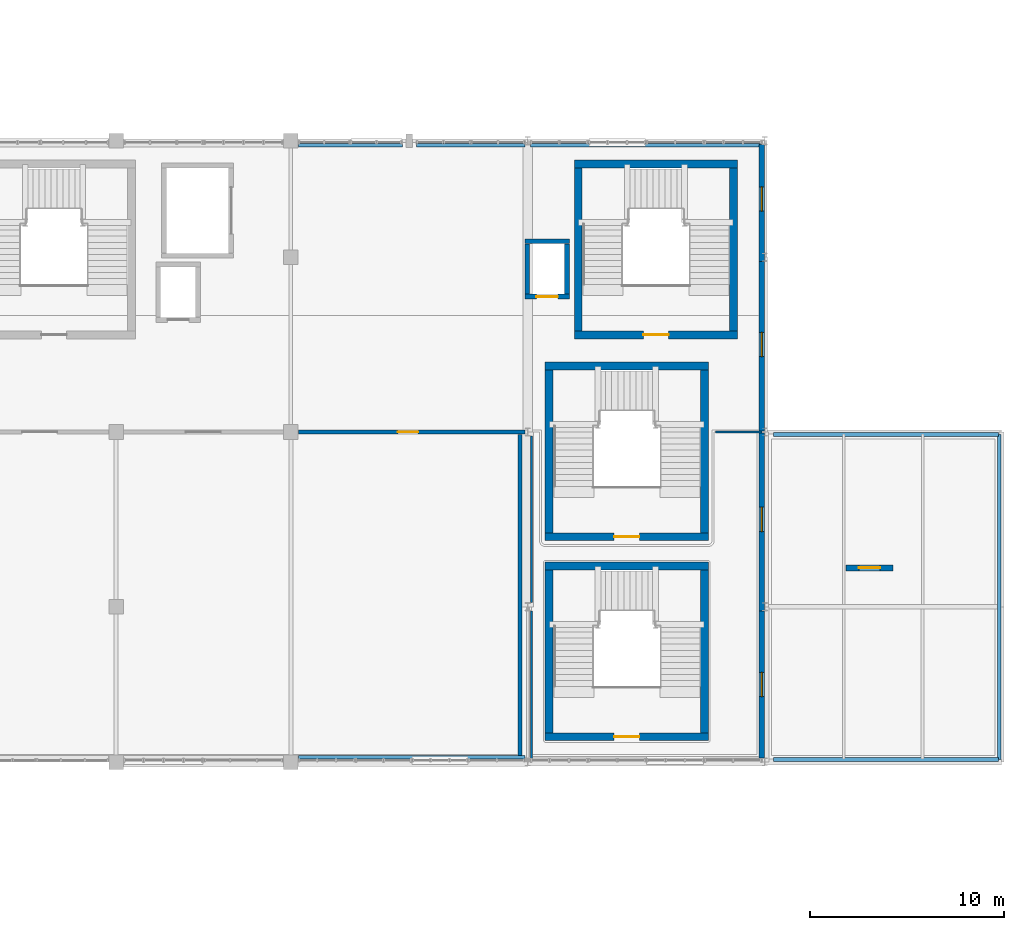
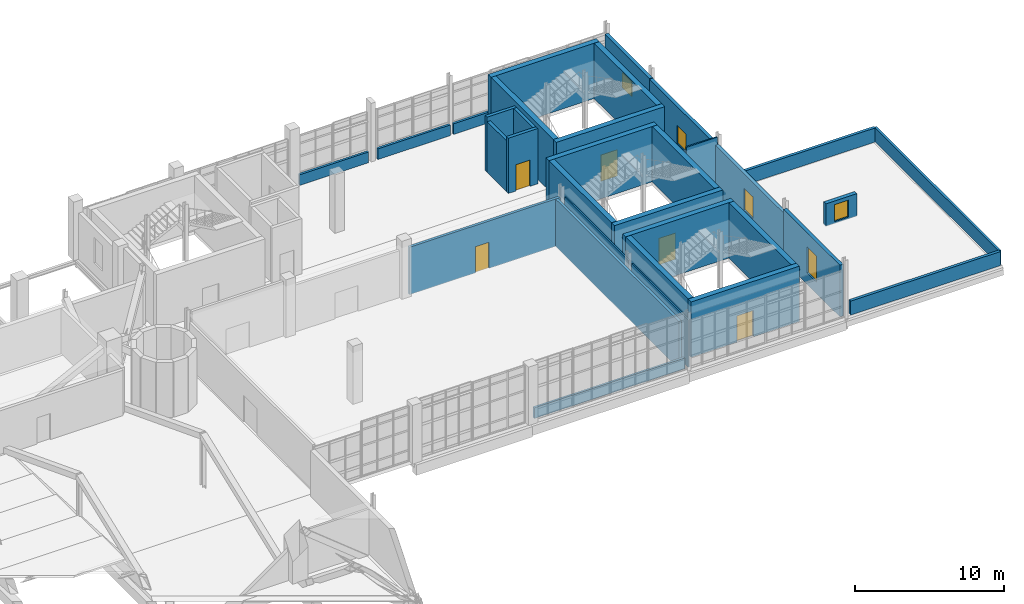
# One storey, part 117 of 127: 33 walls, 6 doors, 4 windows, 10 openings.
"""IFC4 building model written with IfcOpenShell, lengths in metres."""

from ifc_helpers import new_model, si_unit, derived_unit, direction, frame, frame_2d, origin, place, context, subcontext, project, spatial, rectangle, extrude, material, layer, layer_set, type_object, element, fill, save


model = new_model("IFC4")

# Units and contexts
model_context = context("Model", 3, precision=1e-05, world=origin(), true_north=direction((0.0, 1.0)))
body_context = subcontext(model_context, "Body", "Model", "MODEL_VIEW")
ifc_project = project(units=[si_unit("LENGTHUNIT", "METRE"), si_unit("AREAUNIT", "SQUARE_METRE"), si_unit("VOLUMEUNIT", "CUBIC_METRE"), si_unit("PLANEANGLEUNIT", "RADIAN"), si_unit("MASSUNIT", "GRAM", prefix="KILO"), derived_unit("THERMALTRANSMITTANCEUNIT", [(si_unit("POWERUNIT", "WATT"), 1), (si_unit("LENGTHUNIT", "METRE"), -2), (si_unit("THERMODYNAMICTEMPERATUREUNIT", "KELVIN"), -1)])], contexts=[model_context])

# Site, building, storey
site_placement = place(None, origin())
site = spatial("IfcSite", under=ifc_project, at=site_placement, CompositionType="ELEMENT")
building_placement = place(site_placement, origin())
building = spatial("IfcBuilding", under=site, at=building_placement, Name="Nallur Shell Playhouse", CompositionType="ELEMENT")
storey_placement = place(building_placement, frame((0.0, 0.0, 5.39990234375)))
storey = spatial("IfcBuildingStorey", under=building, at=storey_placement, Name="L02", CompositionType="ELEMENT", Elevation=5.39990234375)

# Wall, opening, door
ifc_material_1 = material(Name="Concrete M45", Category="concrete")
ifc_layer_1 = layer(ifc_material_1, 0.39990234375)
ifc_layer_set_1 = layer_set([ifc_layer_1], Name="Concrete M45")
wall_type_1 = type_object("IfcWallType", Name="WL-CORE-400", PredefinedType="SHEAR", material=ifc_layer_set_1)
wall_1_placement = place(storey_placement, frame((150.0, 46.0, 0.0), z_axis=(0.0, 0.0, 1.0), x_axis=(1.0, 0.0, 0.0)))
wall_1 = element("IfcWall", 1, at=wall_1_placement, inside=storey, type_object=wall_type_1, Name="Joint Core JC-5 shear wall S (L02)", PredefinedType="SHEAR", context=body_context, shape_type="SweptSolid", body=[
    extrude(rectangle(XDim=8.39990234375, YDim=0.39990234375, at=frame_2d((4.199951171875, 0.0))), origin(), (0.0, 0.0, 1.0), 4.5400390625),
])
opening_1_placement = place(wall_1_placement, frame((3.550048828125, 0.0, 0.0)))
opening_1 = element("IfcOpeningElement", 2, at=opening_1_placement, cuts=wall_1, Name="Opening FD-ST2", PredefinedType="OPENING", context=body_context, shape_type="SweptSolid", body=[
    extrude(rectangle(XDim=1.300048828125, YDim=2.14990234375, at=frame_2d((0.64990234375, 1.074951171875))), frame((0.0, 0.2099609375, 0.0), z_axis=(0.0, -1.0, 0.0), x_axis=(1.0, 0.0, 0.0)), (0.0, 0.0, 1.0), 0.419921875),
])
ifc_material_2 = material(Name="Galvanised Steel Fire-Rated Stair Door", Category="steel")
door_type_1 = type_object("IfcDoorType", Name="DR-INT-STAIR-R", OperationType="SINGLE_SWING_RIGHT", PredefinedType="DOOR", material=ifc_material_2)
door_1_placement = place(opening_1_placement, origin())
door_1 = element("IfcDoor", 3, at=door_1_placement, inside=storey, type_object=door_type_1, Name="Exit stair ST-05 fire door (L02)", OperationType="SINGLE_SWING_RIGHT", OverallHeight=2.14990234375, OverallWidth=1.300048828125, PredefinedType="DOOR", context=body_context, shape_type="SweptSolid", body=[
    extrude(rectangle(XDim=1.300048828125, YDim=2.14990234375, at=frame_2d((0.64990234375, 1.074951171875))), frame((0.0, 0.02490234375, 0.0), z_axis=(0.0, -1.0, 0.0), x_axis=(1.0, 0.0, 0.0)), (0.0, 0.0, 1.0), 0.050048828125),
])
fill(opening_1, door_1)

# Walls
wall_2_placement = place(storey_placement, frame((158.39990234375, 54.800048828125, 0.0), z_axis=(0.0, 0.0, 1.0), x_axis=(-1.0, 0.0, 0.0)))
element("IfcWall", 4, at=wall_2_placement, inside=storey, type_object=wall_type_1, Name="Joint Core JC-5 shear wall N (L02)", PredefinedType="SHEAR", context=body_context, shape_type="SweptSolid", body=[
    extrude(rectangle(XDim=8.39990234375, YDim=0.39990234375, at=frame_2d((4.199951171875, 0.0))), origin(), (0.0, 0.0, 1.0), 4.5400390625),
])
for number, where, z_axis, x_axis, name in (
    (5, (158.199951171875, 46.2099609375, 0.0), (0.0, 0.0, 1.0), (0.0, 1.0, 0.0), "Joint Core JC-5 shear wall E (L02)"),
    (6, (150.199951171875, 54.590087890625, 0.0), (0.0, 0.0, 1.0), (0.0, -1.0, 0.0), "Joint Core JC-5 shear wall W (L02)"),
):
    element("IfcWall", number, at=place(storey_placement, frame(where, z_axis=z_axis, x_axis=x_axis)), inside=storey, type_object=wall_type_1, Name=name, PredefinedType="SHEAR", context=body_context, shape_type="SweptSolid", body=[
        extrude(rectangle(XDim=8.380126953125, YDim=0.39990234375, at=frame_2d((4.18994140625, 0.0))), origin(), (0.0, 0.0, 1.0), 4.5400390625),
    ])

# Wall, opening, door
wall_3_placement = place(storey_placement, frame((148.5, 25.300048828125, 0.0), z_axis=(0.0, 0.0, 1.0), x_axis=(1.0, 0.0, 0.0)))
wall_3 = element("IfcWall", 7, at=wall_3_placement, inside=storey, type_object=wall_type_1, Name="Joint Core JC-8 shear wall S (L02)", PredefinedType="SHEAR", context=body_context, shape_type="SweptSolid", body=[
    extrude(rectangle(XDim=8.39990234375, YDim=0.39990234375, at=frame_2d((4.199951171875, 0.0))), origin(), (0.0, 0.0, 1.0), 4.5400390625),
])
opening_2_placement = place(wall_3_placement, frame((3.550048828125, 0.0, 0.0)))
opening_2 = element("IfcOpeningElement", 8, at=opening_2_placement, cuts=wall_3, Name="Opening FD-ST2", PredefinedType="OPENING", context=body_context, shape_type="SweptSolid", body=[
    extrude(rectangle(XDim=1.300048828125, YDim=2.14990234375, at=frame_2d((0.64990234375, 1.074951171875))), frame((0.0, 0.2099609375, 0.0), z_axis=(0.0, -1.0, 0.0), x_axis=(1.0, 0.0, 0.0)), (0.0, 0.0, 1.0), 0.419921875),
])
door_2_placement = place(opening_2_placement, origin())
door_2 = element("IfcDoor", 9, at=door_2_placement, inside=storey, type_object=door_type_1, Name="Exit stair ST-08 fire door (L02)", OperationType="SINGLE_SWING_RIGHT", OverallHeight=2.14990234375, OverallWidth=1.300048828125, PredefinedType="DOOR", context=body_context, shape_type="SweptSolid", body=[
    extrude(rectangle(XDim=1.300048828125, YDim=2.14990234375, at=frame_2d((0.64990234375, 1.074951171875))), frame((0.0, 0.02490234375, 0.0), z_axis=(0.0, -1.0, 0.0), x_axis=(1.0, 0.0, 0.0)), (0.0, 0.0, 1.0), 0.050048828125),
])
fill(opening_2, door_2)

# Walls
wall_4_placement = place(storey_placement, frame((156.89990234375, 34.10009765625, 0.0), z_axis=(0.0, 0.0, 1.0), x_axis=(-1.0, 0.0, 0.0)))
element("IfcWall", 10, at=wall_4_placement, inside=storey, type_object=wall_type_1, Name="Joint Core JC-8 shear wall N (L02)", PredefinedType="SHEAR", context=body_context, shape_type="SweptSolid", body=[
    extrude(rectangle(XDim=8.39990234375, YDim=0.39990234375, at=frame_2d((4.199951171875, 0.0))), origin(), (0.0, 0.0, 1.0), 4.5400390625),
])
for number, where, z_axis, x_axis, name in (
    (11, (156.699951171875, 25.510009765625, 0.0), (0.0, 0.0, 1.0), (0.0, 1.0, 0.0), "Joint Core JC-8 shear wall E (L02)"),
    (12, (148.699951171875, 33.889892578125, 0.0), (0.0, 0.0, 1.0), (0.0, -1.0, 0.0), "Joint Core JC-8 shear wall W (L02)"),
):
    element("IfcWall", number, at=place(storey_placement, frame(where, z_axis=z_axis, x_axis=x_axis)), inside=storey, type_object=wall_type_1, Name=name, PredefinedType="SHEAR", context=body_context, shape_type="SweptSolid", body=[
        extrude(rectangle(XDim=8.3798828125, YDim=0.39990234375, at=frame_2d((4.18994140625, 0.0))), origin(), (0.0, 0.0, 1.0), 4.5400390625),
    ])

# Wall, opening, door
wall_5_placement = place(storey_placement, frame((148.5, 35.60009765625, 0.0), z_axis=(0.0, 0.0, 1.0), x_axis=(1.0, 0.0, 0.0)))
wall_5 = element("IfcWall", 13, at=wall_5_placement, inside=storey, type_object=wall_type_1, Name="Joint Core JC-9 shear wall S (L02)", PredefinedType="SHEAR", context=body_context, shape_type="SweptSolid", body=[
    extrude(rectangle(XDim=8.39990234375, YDim=0.39990234375, at=frame_2d((4.199951171875, 0.0))), origin(), (0.0, 0.0, 1.0), 4.5400390625),
])
opening_3_placement = place(wall_5_placement, frame((3.550048828125, 0.0, 0.0)))
opening_3 = element("IfcOpeningElement", 14, at=opening_3_placement, cuts=wall_5, Name="Opening FD-ST2", PredefinedType="OPENING", context=body_context, shape_type="SweptSolid", body=[
    extrude(rectangle(XDim=1.300048828125, YDim=2.14990234375, at=frame_2d((0.64990234375, 1.074951171875))), frame((0.0, 0.2099609375, 0.0), z_axis=(0.0, -1.0, 0.0), x_axis=(1.0, 0.0, 0.0)), (0.0, 0.0, 1.0), 0.419921875),
])
door_3_placement = place(opening_3_placement, origin())
door_3 = element("IfcDoor", 15, at=door_3_placement, inside=storey, type_object=door_type_1, Name="Exit stair ST-09 fire door (L02)", OperationType="SINGLE_SWING_RIGHT", OverallHeight=2.14990234375, OverallWidth=1.300048828125, PredefinedType="DOOR", context=body_context, shape_type="SweptSolid", body=[
    extrude(rectangle(XDim=1.300048828125, YDim=2.14990234375, at=frame_2d((0.64990234375, 1.074951171875))), frame((0.0, 0.02490234375, 0.0), z_axis=(0.0, -1.0, 0.0), x_axis=(1.0, 0.0, 0.0)), (0.0, 0.0, 1.0), 0.050048828125),
])
fill(opening_3, door_3)

# Walls
wall_6_placement = place(storey_placement, frame((156.89990234375, 44.39990234375, 0.0), z_axis=(0.0, 0.0, 1.0), x_axis=(-1.0, 0.0, 0.0)))
element("IfcWall", 16, at=wall_6_placement, inside=storey, type_object=wall_type_1, Name="Joint Core JC-9 shear wall N (L02)", PredefinedType="SHEAR", context=body_context, shape_type="SweptSolid", body=[
    extrude(rectangle(XDim=8.39990234375, YDim=0.39990234375, at=frame_2d((4.199951171875, 0.0))), origin(), (0.0, 0.0, 1.0), 4.5400390625),
])
for number, where, z_axis, x_axis, name in (
    (17, (156.699951171875, 35.81005859375, 0.0), (0.0, 0.0, 1.0), (0.0, 1.0, 0.0), "Joint Core JC-9 shear wall E (L02)"),
    (18, (148.699951171875, 44.18994140625, 0.0), (0.0, 0.0, 1.0), (0.0, -1.0, 0.0), "Joint Core JC-9 shear wall W (L02)"),
):
    element("IfcWall", number, at=place(storey_placement, frame(where, z_axis=z_axis, x_axis=x_axis)), inside=storey, type_object=wall_type_1, Name=name, PredefinedType="SHEAR", context=body_context, shape_type="SweptSolid", body=[
        extrude(rectangle(XDim=8.3798828125, YDim=0.39990234375, at=frame_2d((4.18994140625, 0.0))), origin(), (0.0, 0.0, 1.0), 4.5400390625),
    ])

# Wall, opening, window
ifc_material_3 = material(Name="Precast concrete M40", Category="concrete")
ifc_layer_2 = layer(ifc_material_3, 0.260009765625)
ifc_layer_set_2 = layer_set([ifc_layer_2], Name="Precast concrete M40")
wall_type_2 = type_object("IfcWallType", Name="WL-EXT-CLAD260", PredefinedType="ELEMENTEDWALL", material=ifc_layer_set_2)
wall_7_placement = place(storey_placement, frame((159.64990234375, 55.7919921875, 0.0), z_axis=(0.0, 0.0, 1.0), x_axis=(0.0, -1.0, 0.0)))
wall_7 = element("IfcWall", 19, at=wall_7_placement, inside=storey, type_object=wall_type_2, Name="L02 exterior wall EW-L02-105", PredefinedType="ELEMENTEDWALL", context=body_context, shape_type="SweptSolid", body=[
    extrude(rectangle(XDim=6.0, YDim=0.260009765625, at=frame_2d((3.0, 0.0))), origin(), (0.0, 0.0, 1.0), 4.025146484375),
])
opening_4_placement = place(wall_7_placement, frame((2.1669921875, 0.0, 0.949951171875)))
opening_4 = element("IfcOpeningElement", 20, at=opening_4_placement, cuts=wall_7, Name="Opening WN-09", PredefinedType="OPENING", context=body_context, shape_type="SweptSolid", body=[
    extrude(rectangle(XDim=1.25, YDim=1.199951171875, at=frame_2d((0.625, 0.60009765625))), frame((0.0, 0.14013671875, 0.0), z_axis=(0.0, -1.0, 0.0), x_axis=(1.0, 0.0, 0.0)), (0.0, 0.0, 1.0), 0.280029296875),
])
ifc_material_4 = material(Name="Thermally Broken Aluminium Acoustic Double-Glazed Window", Category="aluminium")
window_type_1 = type_object("IfcWindowType", Name="WN-TYPE-09", PartitioningType="SINGLE_PANEL", PredefinedType="WINDOW", material=ifc_material_4)
window_1_placement = place(opening_4_placement, origin())
window_1 = element("IfcWindow", 21, at=window_1_placement, inside=storey, type_object=window_type_1, Name="L02 facade module window 041", OverallHeight=1.199951171875, OverallWidth=1.25, PartitioningType="SINGLE_PANEL", PredefinedType="WINDOW", context=body_context, shape_type="SweptSolid", body=[
    extrude(rectangle(XDim=1.25, YDim=1.199951171875, at=frame_2d((0.625, 0.60009765625))), frame((0.0, 0.030029296875, 0.0), z_axis=(0.0, -1.0, 0.0), x_axis=(1.0, 0.0, 0.0)), (0.0, 0.0, 1.0), 0.06005859375),
])
fill(opening_4, window_1)

wall_8_placement = place(storey_placement, frame((159.64990234375, 49.7919921875, 0.0), z_axis=(0.0, 0.0, 1.0), x_axis=(0.0, -1.0, 0.0)))
wall_8 = element("IfcWall", 22, at=wall_8_placement, inside=storey, type_object=wall_type_2, Name="L02 exterior wall EW-L02-106", PredefinedType="ELEMENTEDWALL", context=body_context, shape_type="SweptSolid", body=[
    extrude(rectangle(XDim=8.739990234375, YDim=0.260009765625, at=frame_2d((4.3701171875, 0.0))), origin(), (0.0, 0.0, 1.0), 3.97509765625),
])
opening_5_placement = place(wall_8_placement, frame((3.6669921875, 0.0, 0.949951171875)))
opening_5 = element("IfcOpeningElement", 23, at=opening_5_placement, cuts=wall_8, Name="Opening WN-10", PredefinedType="OPENING", context=body_context, shape_type="SweptSolid", body=[
    extrude(rectangle(XDim=1.25, YDim=1.5, at=frame_2d((0.625, 0.75))), frame((0.0, 0.14013671875, 0.0), z_axis=(0.0, -1.0, 0.0), x_axis=(1.0, 0.0, 0.0)), (0.0, 0.0, 1.0), 0.280029296875),
])
window_type_2 = type_object("IfcWindowType", Name="WN-TYPE-10", PartitioningType="SINGLE_PANEL", PredefinedType="WINDOW", material=ifc_material_4)
window_2_placement = place(opening_5_placement, origin())
window_2 = element("IfcWindow", 24, at=window_2_placement, inside=storey, type_object=window_type_2, Name="L02 facade module window 042", OverallHeight=1.5, OverallWidth=1.25, PartitioningType="SINGLE_PANEL", PredefinedType="WINDOW", context=body_context, shape_type="SweptSolid", body=[
    extrude(rectangle(XDim=1.25, YDim=1.5, at=frame_2d((0.625, 0.75))), frame((0.0, 0.030029296875, 0.0), z_axis=(0.0, -1.0, 0.0), x_axis=(1.0, 0.0, 0.0)), (0.0, 0.0, 1.0), 0.06005859375),
])
fill(opening_5, window_2)

wall_9_placement = place(storey_placement, frame((159.64990234375, 40.947998046875, 0.0), z_axis=(0.0, 0.0, 1.0), x_axis=(0.0, -1.0, 0.0)))
wall_9 = element("IfcWall", 25, at=wall_9_placement, inside=storey, type_object=wall_type_2, Name="L02 exterior wall EW-L02-107", PredefinedType="ELEMENTEDWALL", context=body_context, shape_type="SweptSolid", body=[
    extrude(rectangle(XDim=9.156005859375, YDim=0.260009765625, at=frame_2d((4.578125, 0.0))), origin(), (0.0, 0.0, 1.0), 3.925048828125),
])
opening_6_placement = place(wall_9_placement, frame((3.822998046875, 0.0, 0.949951171875)))
opening_6 = element("IfcOpeningElement", 26, at=opening_6_placement, cuts=wall_9, Name="Opening WN-11", PredefinedType="OPENING", context=body_context, shape_type="SweptSolid", body=[
    extrude(rectangle(XDim=1.25, YDim=1.800048828125, at=frame_2d((0.625, 0.89990234375))), frame((0.0, 0.14013671875, 0.0), z_axis=(0.0, -1.0, 0.0), x_axis=(1.0, 0.0, 0.0)), (0.0, 0.0, 1.0), 0.280029296875),
])
window_type_3 = type_object("IfcWindowType", Name="WN-TYPE-11", PartitioningType="SINGLE_PANEL", PredefinedType="WINDOW", material=ifc_material_4)
window_3_placement = place(opening_6_placement, origin())
window_3 = element("IfcWindow", 27, at=window_3_placement, inside=storey, type_object=window_type_3, Name="L02 facade module window 043", OverallHeight=1.800048828125, OverallWidth=1.25, PartitioningType="SINGLE_PANEL", PredefinedType="WINDOW", context=body_context, shape_type="SweptSolid", body=[
    extrude(rectangle(XDim=1.25, YDim=1.800048828125, at=frame_2d((0.625, 0.89990234375))), frame((0.0, 0.030029296875, 0.0), z_axis=(0.0, -1.0, 0.0), x_axis=(1.0, 0.0, 0.0)), (0.0, 0.0, 1.0), 0.06005859375),
])
fill(opening_6, window_3)

wall_10_placement = place(storey_placement, frame((159.64990234375, 31.7919921875, 0.0), z_axis=(0.0, 0.0, 1.0), x_axis=(0.0, -1.0, 0.0)))
wall_10 = element("IfcWall", 28, at=wall_10_placement, inside=storey, type_object=wall_type_2, Name="L02 exterior wall EW-L02-108", PredefinedType="ELEMENTEDWALL", context=body_context, shape_type="SweptSolid", body=[
    extrude(rectangle(XDim=7.583984375, YDim=0.260009765625, at=frame_2d((3.7919921875, 0.0))), origin(), (0.0, 0.0, 1.0), 4.22509765625),
])
opening_7_placement = place(wall_10_placement, frame((3.1669921875, 0.0, 0.949951171875)))
opening_7 = element("IfcOpeningElement", 29, at=opening_7_placement, cuts=wall_10, Name="Opening WN-12", PredefinedType="OPENING", context=body_context, shape_type="SweptSolid", body=[
    extrude(rectangle(XDim=1.25, YDim=2.10009765625, at=frame_2d((0.625, 1.050048828125))), frame((0.0, 0.14013671875, 0.0), z_axis=(0.0, -1.0, 0.0), x_axis=(1.0, 0.0, 0.0)), (0.0, 0.0, 1.0), 0.280029296875),
])
window_type_4 = type_object("IfcWindowType", Name="WN-TYPE-12", PartitioningType="SINGLE_PANEL", PredefinedType="WINDOW", material=ifc_material_4)
window_4_placement = place(opening_7_placement, origin())
window_4 = element("IfcWindow", 30, at=window_4_placement, inside=storey, type_object=window_type_4, Name="L02 facade module window 044", OverallHeight=2.10009765625, OverallWidth=1.25, PartitioningType="SINGLE_PANEL", PredefinedType="WINDOW", context=body_context, shape_type="SweptSolid", body=[
    extrude(rectangle(XDim=1.25, YDim=2.10009765625, at=frame_2d((0.625, 1.050048828125))), frame((0.0, 0.030029296875, 0.0), z_axis=(0.0, -1.0, 0.0), x_axis=(1.0, 0.0, 0.0)), (0.0, 0.0, 1.0), 0.06005859375),
])
fill(opening_7, window_4)

# Wall, opening, door
ifc_material_5 = material(Name="Concrete M35", Category="concrete")
ifc_layer_3 = layer(ifc_material_5, 0.300048828125)
ifc_layer_set_3 = layer_set([ifc_layer_3], Name="Concrete M35")
wall_type_3 = type_object("IfcWallType", Name="WL-EXT-RC300", PredefinedType="STANDARD", material=ifc_layer_set_3)
wall_11_placement = place(storey_placement, frame((164.0, 34.0, 0.0), z_axis=(0.0, 0.0, 1.0), x_axis=(1.0, 0.0, 0.0)))
wall_11 = element("IfcWall", 31, at=wall_11_placement, inside=storey, type_object=wall_type_3, Name="L02 roof access hatch bulkhead wall 02", PredefinedType="STANDARD", context=body_context, shape_type="SweptSolid", body=[
    extrude(rectangle(XDim=2.39990234375, YDim=0.300048828125, at=frame_2d((1.199951171875, 0.0))), origin(), (0.0, 0.0, 1.0), 1.85009765625),
])
opening_8_placement = place(wall_11_placement, frame((0.64990234375, 0.0, 0.14990234375)))
opening_8 = element("IfcOpeningElement", 32, at=opening_8_placement, cuts=wall_11, Name="Opening RH-01", PredefinedType="OPENING", context=body_context, shape_type="SweptSolid", body=[
    extrude(rectangle(XDim=1.10009765625, YDim=1.39990234375, at=frame_2d((0.550048828125, 0.699951171875))), frame((0.0, 0.16015625, 0.0), z_axis=(0.0, -1.0, 0.0), x_axis=(1.0, 0.0, 0.0)), (0.0, 0.0, 1.0), 0.320068359375),
])
ifc_material_6 = material(Name="Insulated Weatherproof Roof Access Hatch Door")
door_type_2 = type_object("IfcDoorType", Name="DR-ROOF-HATCH", OperationType="SINGLE_SWING_LEFT", PredefinedType="TRAPDOOR", material=ifc_material_6)
door_4_placement = place(opening_8_placement, origin())
door_4 = element("IfcDoor", 33, at=door_4_placement, inside=storey, type_object=door_type_2, Name="Roof access trapdoor hatch RH-02", OperationType="SINGLE_SWING_LEFT", OverallHeight=1.39990234375, OverallWidth=1.10009765625, PredefinedType="TRAPDOOR", context=body_context, shape_type="SweptSolid", body=[
    extrude(rectangle(XDim=1.10009765625, YDim=1.39990234375, at=frame_2d((0.550048828125, 0.699951171875))), frame((0.0, 0.02490234375, 0.0), z_axis=(0.0, -1.0, 0.0), x_axis=(1.0, 0.0, 0.0)), (0.0, 0.0, 1.0), 0.050048828125),
])
fill(opening_8, door_4)

# Walls
ifc_layer_4 = layer(ifc_material_5, 0.179931640625)
ifc_layer_set_4 = layer_set([ifc_layer_4], Name="Concrete M35")
wall_type_4 = type_object("IfcWallType", Name="WL-PARAPET-180", PredefinedType="PARAPET", material=ifc_layer_set_4)
wall_12_placement = place(storey_placement, frame((135.784912109375, 55.760009765625, 0.0), z_axis=(0.0, 0.0, 1.0), x_axis=(1.0, 0.0, 0.0)))
element("IfcWall", 34, at=wall_12_placement, inside=storey, type_object=wall_type_4, Name="L02 curtain-wall internal spandrel upstand 015", PredefinedType="PARAPET", context=body_context, shape_type="SweptSolid", body=[
    extrude(rectangle(XDim=5.35498046875, YDim=0.179931640625, at=frame_2d((2.677490234375, 0.0))), origin(), (0.0, 0.0, 1.0), 0.880126953125),
])
wall_13_placement = place(storey_placement, frame((141.860107421875, 55.760009765625, 0.0), z_axis=(0.0, 0.0, 1.0), x_axis=(1.0, 0.0, 0.0)))
element("IfcWall", 35, at=wall_13_placement, inside=storey, type_object=wall_type_4, Name="L02 curtain-wall internal spandrel upstand 016", PredefinedType="PARAPET", context=body_context, shape_type="SweptSolid", body=[
    extrude(rectangle(XDim=5.60498046875, YDim=0.179931640625, at=frame_2d((2.802490234375, 0.0))), origin(), (0.0, 0.0, 1.0), 0.880126953125),
])
wall_14_placement = place(storey_placement, frame((147.735107421875, 55.760009765625, 0.0), z_axis=(0.0, 0.0, 1.0), x_axis=(1.0, 0.0, 0.0)))
element("IfcWall", 36, at=wall_14_placement, inside=storey, type_object=wall_type_4, Name="L02 curtain-wall internal spandrel upstand 017", PredefinedType="PARAPET", context=body_context, shape_type="SweptSolid", body=[
    extrude(rectangle(XDim=11.929931640625, YDim=0.179931640625, at=frame_2d((5.96484375, 0.0))), origin(), (0.0, 0.0, 1.0), 0.880126953125),
])
wall_15_placement = place(storey_placement, frame((147.465087890625, 24.239990234375, 0.0), z_axis=(0.0, 0.0, 1.0), x_axis=(-1.0, 0.0, 0.0)))
element("IfcWall", 37, at=wall_15_placement, inside=storey, type_object=wall_type_4, Name="L02 curtain-wall internal spandrel upstand 018", PredefinedType="PARAPET", context=body_context, shape_type="SweptSolid", body=[
    extrude(rectangle(XDim=11.68017578125, YDim=0.179931640625, at=frame_2d((5.840087890625, 0.0))), origin(), (0.0, 0.0, 1.0), 0.880126953125),
])
wall_16_placement = place(storey_placement, frame((171.889892578125, 40.8701171875, 0.0), z_axis=(0.0, 0.0, 1.0), x_axis=(0.0, -1.0, 0.0)))
element("IfcWall", 38, at=wall_16_placement, inside=storey, type_object=wall_type_4, Name="L02 concrete roof parapet PAR-003", PredefinedType="PARAPET", context=body_context, shape_type="SweptSolid", body=[
    extrude(rectangle(XDim=16.740234375, YDim=0.179931640625, at=frame_2d((8.3701171875, 0.0))), origin(), (0.0, 0.0, 1.0), 1.150146484375),
])
ifc_layer_5 = layer(ifc_material_5, 0.219970703125)
ifc_layer_set_5 = layer_set([ifc_layer_5], Name="Concrete M35")
wall_type_5 = type_object("IfcWallType", Name="WL-PARAPET-220", PredefinedType="PARAPET", material=ifc_layer_set_5)
for number, where, z_axis, x_axis, name in (
    (39, (160.25, 40.8701171875, 0.0), (0.0, 0.0, 1.0), (1.0, 0.0, 0.0), "L02 concrete roof parapet PAR-002"),
    (40, (171.85009765625, 24.1298828125, 0.0), (0.0, 0.0, 1.0), (-1.0, 0.0, 0.0), "L02 concrete roof parapet PAR-004"),
):
    element("IfcWall", number, at=place(storey_placement, frame(where, z_axis=z_axis, x_axis=x_axis)), inside=storey, type_object=wall_type_5, Name=name, PredefinedType="PARAPET", context=body_context, shape_type="SweptSolid", body=[
        extrude(rectangle(XDim=11.60009765625, YDim=0.219970703125, at=frame_2d((5.800048828125, 0.0))), origin(), (0.0, 0.0, 1.0), 1.150146484375),
    ])

# Wall, opening, door
ifc_material_7 = material(Name="Concrete M30", Category="concrete")
ifc_layer_6 = layer(ifc_material_7, 0.199951171875)
ifc_layer_set_6 = layer_set([ifc_layer_6], Name="Concrete M30")
wall_type_6 = type_object("IfcWallType", Name="WL-PART-AC200", PredefinedType="PARTITIONING", material=ifc_layer_set_6)
wall_17_placement = place(storey_placement, frame((135.7900390625, 41.0, 0.0), z_axis=(0.0, 0.0, 1.0), x_axis=(1.0, 0.0, 0.0)))
wall_17 = element("IfcWall", 41, at=wall_17_placement, inside=storey, type_object=wall_type_6, Name="Studio Theatre Pre-Function Foyer partition IW-L02-0157", PredefinedType="PARTITIONING", context=body_context, shape_type="SweptSolid", body=[
    extrude(rectangle(XDim=11.680908203125, YDim=0.199951171875, at=frame_2d((5.84033203125, 0.0))), origin(), (0.0, 0.0, 1.0), 3.89013671875),
])
opening_9_placement = place(wall_17_placement, frame((5.1201171875, 0.0, 0.0)))
opening_9 = element("IfcOpeningElement", 42, at=opening_9_placement, cuts=wall_17, Name="Opening ID-02", PredefinedType="OPENING", context=body_context, shape_type="SweptSolid", body=[
    extrude(rectangle(XDim=1.050048828125, YDim=2.14990234375, at=frame_2d((0.52490234375, 1.074951171875))), frame((0.0, 0.10986328125, 0.0), z_axis=(0.0, -1.0, 0.0), x_axis=(1.0, 0.0, 0.0)), (0.0, 0.0, 1.0), 0.219970703125),
])
ifc_material_8 = material(Name="Solid-Core Engineered Timber Fire Door", Category="wood")
door_type_3 = type_object("IfcDoorType", Name="DR-INT-SGL1050R", OperationType="SINGLE_SWING_RIGHT", PredefinedType="DOOR", material=ifc_material_8)
door_5_placement = place(opening_9_placement, origin())
door_5 = element("IfcDoor", 43, at=door_5_placement, inside=storey, type_object=door_type_3, Name="Studio Theatre Pre-Function Foyer door 1", OperationType="SINGLE_SWING_RIGHT", OverallHeight=2.14990234375, OverallWidth=1.050048828125, PredefinedType="DOOR", context=body_context, shape_type="SweptSolid", body=[
    extrude(rectangle(XDim=1.050048828125, YDim=2.14990234375, at=frame_2d((0.52490234375, 1.074951171875))), frame((0.0, 0.02490234375, 0.0), z_axis=(0.0, -1.0, 0.0), x_axis=(1.0, 0.0, 0.0)), (0.0, 0.0, 1.0), 0.050048828125),
])
fill(opening_9, door_5)

# Walls
wall_18_placement = place(storey_placement, frame((147.199951171875, 40.8798828125, 0.0), z_axis=(0.0, 0.0, 1.0), x_axis=(0.0, -1.0, 0.0)))
element("IfcWall", 44, at=wall_18_placement, inside=storey, type_object=wall_type_6, Name="Studio Theatre Pre-Function Foyer partition IW-L02-0158", PredefinedType="PARTITIONING", context=body_context, shape_type="SweptSolid", body=[
    extrude(rectangle(XDim=16.5458984375, YDim=0.199951171875, at=frame_2d((8.27294921875, 0.0))), origin(), (0.0, 0.0, 1.0), 3.89013671875),
])
ifc_material_9 = material(Name="Operable Acoustic Timber-Veneered Partition Panel", Category="wood")
ifc_layer_7 = layer(ifc_material_9, 0.110107421875)
ifc_layer_set_7 = layer_set([ifc_layer_7], Name="Operable Acoustic Timber-Veneered Partition Panel")
wall_type_7 = type_object("IfcWallType", Name="WL-PART-MOV110", PredefinedType="MOVABLE", material=ifc_layer_set_7)
wall_19_placement = place(storey_placement, frame((147.800048828125, 24.181884765625, 0.0), z_axis=(0.0, 0.0, 1.0), x_axis=(0.0, 1.0, 0.0)))
element("IfcWall", 45, at=wall_19_placement, inside=storey, type_object=wall_type_7, Name="Theatre Education Seminar Room partition IW-L02-0186", PredefinedType="MOVABLE", context=body_context, shape_type="SweptSolid", body=[
    extrude(rectangle(XDim=7.60302734375, YDim=0.110107421875, at=frame_2d((3.801513671875, 0.0))), origin(), (0.0, 0.0, 1.0), 3.89013671875),
])
wall_20_placement = place(storey_placement, frame((147.800048828125, 32.215087890625, 0.0), z_axis=(0.0, 0.0, 1.0), x_axis=(0.0, 1.0, 0.0)))
element("IfcWall", 46, at=wall_20_placement, inside=storey, type_object=wall_type_7, Name="Theatre Education Seminar Room partition IW-L02-0187", PredefinedType="MOVABLE", context=body_context, shape_type="SweptSolid", body=[
    extrude(rectangle(XDim=8.56982421875, YDim=0.110107421875, at=frame_2d((4.284912109375, 0.0))), origin(), (0.0, 0.0, 1.0), 3.89013671875),
])
wall_21_placement = place(storey_placement, frame((157.27490234375, 41.0, 0.0), z_axis=(0.0, 0.0, 1.0), x_axis=(1.0, 0.0, 0.0)))
element("IfcWall", 47, at=wall_21_placement, inside=storey, type_object=wall_type_7, Name="Theatre Education Seminar Room partition IW-L02-0188", PredefinedType="MOVABLE", context=body_context, shape_type="SweptSolid", body=[
    extrude(rectangle(XDim=2.39599609375, YDim=0.110107421875, at=frame_2d((1.197998046875, 0.0))), origin(), (0.0, 0.0, 1.0), 4.530029296875),
])

# Wall, opening, door
ifc_layer_8 = layer(ifc_material_1, 0.25)
ifc_layer_set_8 = layer_set([ifc_layer_8], Name="Concrete M45")
wall_type_8 = type_object("IfcWallType", Name="WL-SHAFT-250", PredefinedType="STANDARD", material=ifc_layer_set_8)
wall_22_placement = place(storey_placement, frame((147.449951171875, 47.97509765625, 0.0), z_axis=(0.0, 0.0, 1.0), x_axis=(1.0, 0.0, 0.0)))
wall_22 = element("IfcWall", 48, at=wall_22_placement, inside=storey, type_object=wall_type_8, Name="Studio Passenger Lift PL-5 shaft wall south (L02)", PredefinedType="STANDARD", context=body_context, shape_type="SweptSolid", body=[
    extrude(rectangle(XDim=2.300048828125, YDim=0.25, at=frame_2d((1.14990234375, 0.0))), origin(), (0.0, 0.0, 1.0), 4.530029296875),
])
opening_10_placement = place(wall_22_placement, frame((0.60009765625, 0.0, 0.0)))
opening_10 = element("IfcOpeningElement", 49, at=opening_10_placement, cuts=wall_22, Name="Opening LD-P1", PredefinedType="OPENING", context=body_context, shape_type="SweptSolid", body=[
    extrude(rectangle(XDim=1.10009765625, YDim=2.14990234375, at=frame_2d((0.550048828125, 1.074951171875))), frame((0.0, 0.135009765625, 0.0), z_axis=(0.0, -1.0, 0.0), x_axis=(1.0, 0.0, 0.0)), (0.0, 0.0, 1.0), 0.27001953125),
])
ifc_material_10 = material(Name="Brushed Stainless Steel Lift Landing Door", Category="steel")
door_type_4 = type_object("IfcDoorType", Name="DR-LIFT-PASS", OperationType="DOUBLE_DOOR_SLIDING", PredefinedType="DOOR", material=ifc_material_10)
door_6_placement = place(opening_10_placement, origin())
door_6 = element("IfcDoor", 50, at=door_6_placement, inside=storey, type_object=door_type_4, Name="Studio Passenger Lift PL-5 sliding landing door (L02)", OperationType="DOUBLE_DOOR_SLIDING", OverallHeight=2.14990234375, OverallWidth=1.10009765625, PredefinedType="DOOR", context=body_context, shape_type="SweptSolid", body=[
    extrude(rectangle(XDim=1.10009765625, YDim=2.14990234375, at=frame_2d((0.550048828125, 1.074951171875))), frame((0.0, 0.02490234375, 0.0), z_axis=(0.0, -1.0, 0.0), x_axis=(1.0, 0.0, 0.0)), (0.0, 0.0, 1.0), 0.050048828125),
])
fill(opening_10, door_6)

# Walls
wall_23_placement = place(storey_placement, frame((149.75, 50.824951171875, 0.0), z_axis=(0.0, 0.0, 1.0), x_axis=(-1.0, 0.0, 0.0)))
element("IfcWall", 51, at=wall_23_placement, inside=storey, type_object=wall_type_8, Name="Studio Passenger Lift PL-5 shaft wall north (L02)", PredefinedType="STANDARD", context=body_context, shape_type="SweptSolid", body=[
    extrude(rectangle(XDim=2.300048828125, YDim=0.25, at=frame_2d((1.14990234375, 0.0))), origin(), (0.0, 0.0, 1.0), 4.530029296875),
])
wall_24_placement = place(storey_placement, frame((149.625, 48.110107421875, 0.0), z_axis=(0.0, 0.0, 1.0), x_axis=(0.0, 1.0, 0.0)))
element("IfcWall", 52, at=wall_24_placement, inside=storey, type_object=wall_type_8, Name="Studio Passenger Lift PL-5 shaft wall east (L02)", PredefinedType="STANDARD", context=body_context, shape_type="SweptSolid", body=[
    extrude(rectangle(XDim=2.579833984375, YDim=0.25, at=frame_2d((1.2900390625, 0.0))), origin(), (0.0, 0.0, 1.0), 4.530029296875),
])
wall_25_placement = place(storey_placement, frame((147.574951171875, 50.68994140625, 0.0), z_axis=(0.0, 0.0, 1.0), x_axis=(0.0, -1.0, 0.0)))
element("IfcWall", 53, at=wall_25_placement, inside=storey, type_object=wall_type_8, Name="Studio Passenger Lift PL-5 shaft wall west (L02)", PredefinedType="STANDARD", context=body_context, shape_type="SweptSolid", body=[
    extrude(rectangle(XDim=2.579833984375, YDim=0.25, at=frame_2d((1.2900390625, 0.0))), origin(), (0.0, 0.0, 1.0), 4.170166015625),
])

save(model, "model.ifc")
